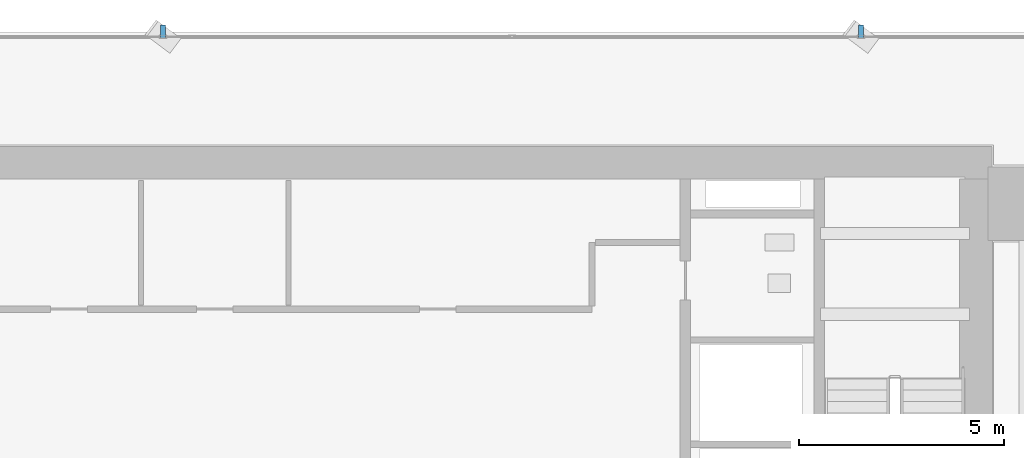
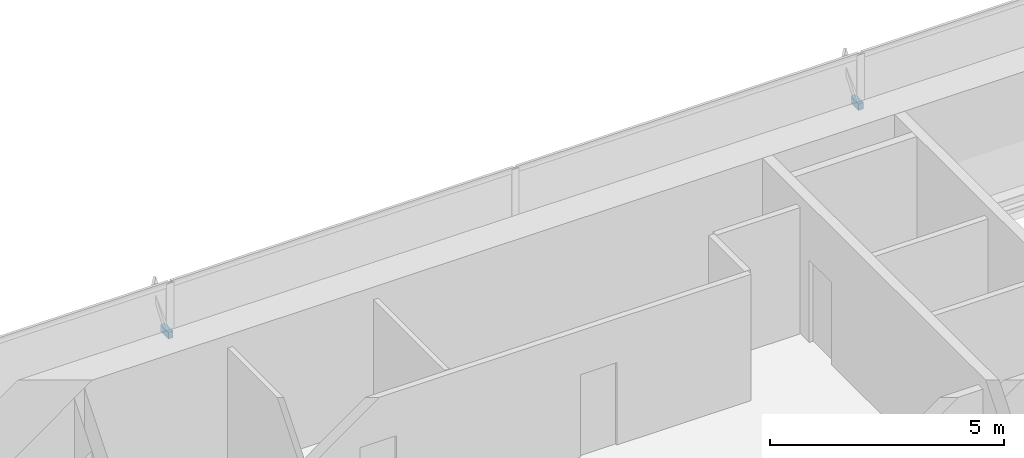
# One storey, part 28 of 33: 2 discrete accessories.
"""IFC4 building model written with IfcOpenShell, lengths in metres."""

from ifc_helpers import new_model, si_unit, direction, frame, origin, origin_2d, place, context, subcontext, project, spatial, rectangle, extrude, source, transform, mapped, material, material_profile, profile_set, type_object, element, save


model = new_model("IFC4")

# Units and contexts
model_context = context("Model", 3, precision=1e-05, world=origin(), true_north=direction((0.0, 1.0)))
body_context = subcontext(model_context, "Body", "Model", "MODEL_VIEW")
ifc_project = project(units=[si_unit("LENGTHUNIT", "METRE"), si_unit("AREAUNIT", "SQUARE_METRE"), si_unit("VOLUMEUNIT", "CUBIC_METRE"), si_unit("PLANEANGLEUNIT", "RADIAN"), si_unit("MASSUNIT", "GRAM", prefix="KILO")], contexts=[model_context])

# Site, building, storey
site_placement = place(None, origin())
site = spatial("IfcSite", under=ifc_project, at=site_placement, CompositionType="ELEMENT")
building_placement = place(site_placement, origin())
building = spatial("IfcBuilding", under=site, at=building_placement, Name="Sumidabori Civic Tower", CompositionType="ELEMENT")
storey_placement = place(building_placement, frame((0.0, 0.0, 66.800048828125)))
storey = spatial("IfcBuildingStorey", under=building, at=storey_placement, Name="L17", CompositionType="ELEMENT", Elevation=66.800048828125)

# Discrete accessories
ifc_material = material(Name="Stainless Steel Hairline Finish", Category="steel")
ifc_material_profile = material_profile(ifc_material, rectangle(XDim=0.1201171875, YDim=0.179931640625, at=origin_2d()), Name="STEEL BRACKET 180x120")
ifc_profile_set = profile_set([ifc_material_profile], Name="Stainless Steel Hairline Finish")
discrete_accessory_type = type_object("IfcDiscreteAccessoryType", Name="AC-BRK-180", PredefinedType="BRACKET", material=ifc_profile_set)
shared_shape = source(origin(), body_context, "Body", "SweptSolid", [
    extrude(rectangle(XDim=0.1201171875, YDim=0.179931640625, at=origin_2d()), origin(), (0.0, 0.0, 1.0), 0.329833984375),
])
for number, where, z_axis, x_axis, name in (
    (1, (12.7919921875, 26.830078125, 1.329833984375), (0.0, 1.0, 0.0), (-1.0, 0.0, 0.0), "Bronze Fin Fixing Bracket L17-01"),
    (2, (-4.263916015625, 26.830078125, 1.329833984375), (0.0, 1.0, 0.0), (-1.0, 0.0, 0.0), "Bronze Fin Fixing Bracket L17-03"),
):
    element("IfcDiscreteAccessory", number, at=place(storey_placement, frame(where, z_axis=z_axis, x_axis=x_axis)), inside=storey, type_object=discrete_accessory_type, Name=name, PredefinedType="BRACKET", context=body_context, shape_type="MappedRepresentation", body=[
        mapped(shared_shape, transform((0.0, 0.0, 0.0), x_axis=(1.0, 0.0, 0.0), y_axis=(0.0, 1.0, 0.0), z_axis=(0.0, 0.0, 1.0), scale=1.0)),
    ])

save(model, "model.ifc")
